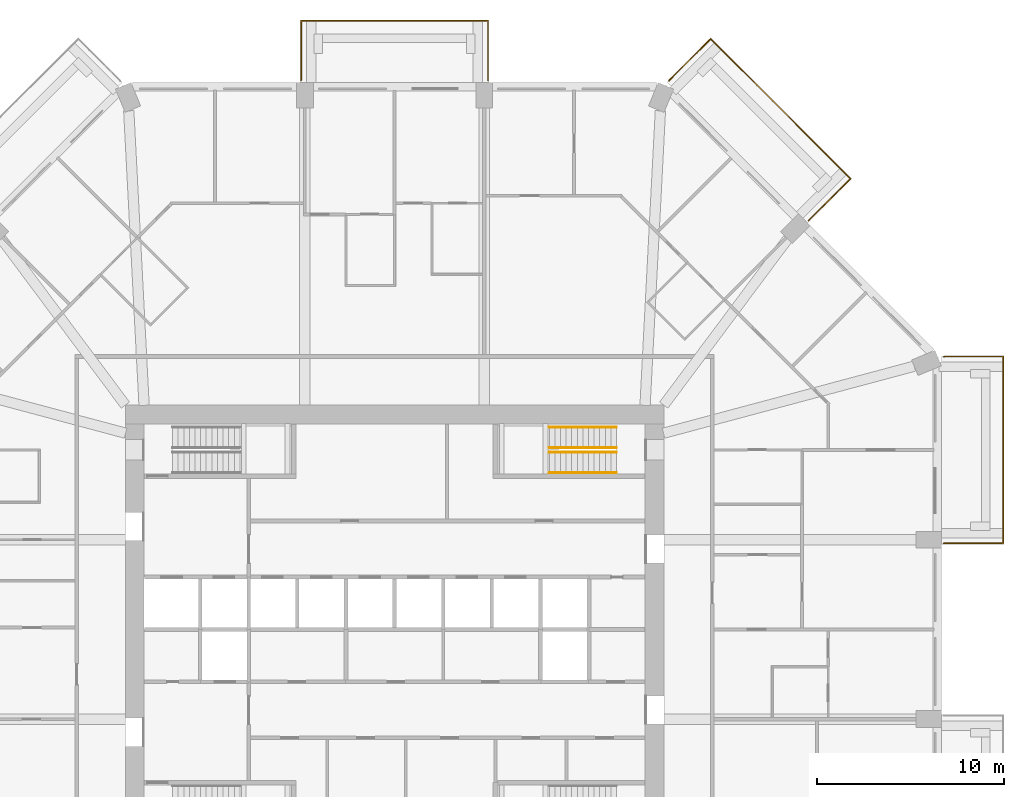
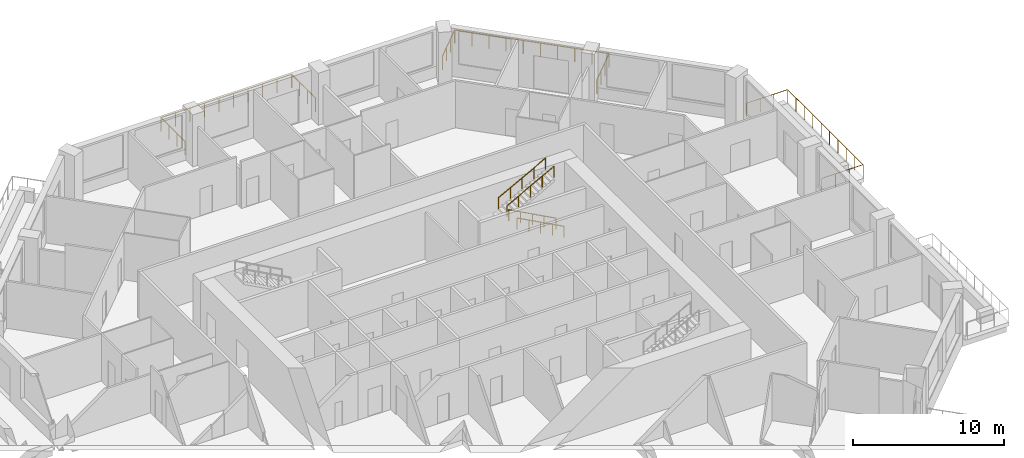
# One storey, part 13 of 13: 7 railings.
"""IFC4 building model written with IfcOpenShell, lengths in metres."""

from ifc_helpers import new_model, si_unit, direction, frame, origin, origin_2d, place, context, subcontext, project, spatial, circle, extrude, material, constituent, constituent_set, type_object, element, save


model = new_model("IFC4")

# Units and contexts
model_context = context("Model", 3, precision=1e-05, world=origin(), true_north=direction((0.0, 1.0)))
body_context = subcontext(model_context, "Body", "Model", "MODEL_VIEW")
ifc_project = project(units=[si_unit("LENGTHUNIT", "METRE"), si_unit("AREAUNIT", "SQUARE_METRE"), si_unit("VOLUMEUNIT", "CUBIC_METRE"), si_unit("PLANEANGLEUNIT", "RADIAN"), si_unit("MASSUNIT", "GRAM", prefix="KILO")], contexts=[model_context])

# Site, building, storey
site_placement = place(None, origin())
site = spatial("IfcSite", under=ifc_project, at=site_placement, CompositionType="ELEMENT")
building_placement = place(site_placement, origin())
building = spatial("IfcBuilding", under=site, at=building_placement, Name="Msitu Wima Residences", CompositionType="ELEMENT")
storey_placement = place(building_placement, frame((0.0, 0.0, 96.89990234375)))
storey = spatial("IfcBuildingStorey", under=building, at=storey_placement, Name="L22", CompositionType="ELEMENT", Elevation=96.89990234375)

# Railings
ifc_material_1 = material(Name="Steel S355", Category="steel")
ifc_constituent_1 = constituent(ifc_material_1, Name="Steel S355")
ifc_material_2 = material(Name="Weathering patina")
ifc_constituent_2 = constituent(ifc_material_2, Name="Weathering patina")
ifc_constituent_set_1 = constituent_set(constituents=[ifc_constituent_1, ifc_constituent_2], Name="Steel S355")
railing_type_1 = type_object("IfcRailingType", Name="Balcony guard GR1100", PredefinedType="GUARDRAIL", material=ifc_constituent_set_1)
railing_1_placement = place(storey_placement, frame((29.3798828125, 14.586181640625, 0.0)))
element("IfcRailing", 1, at=railing_1_placement, inside=storey, type_object=railing_type_1, Name="Balcony guard E2 L22", PredefinedType="GUARDRAIL", context=body_context, shape_type="SweptSolid", body=[
    extrude(circle(Radius=0.02392578125, at=origin_2d()), frame((0.0, 0.0, 1.076171875), z_axis=(0.92426142649, 0.38176015442, 0.0), x_axis=(-0.38176015442, 0.92426142649, 0.0)), (0.0, 0.0, 1.0), 0.036376953125),
    extrude(circle(Radius=0.02392578125, at=origin_2d()), frame((0.03369140625, 0.013916015625, 1.076171875), z_axis=(1.0, 0.0, 0.0), x_axis=(0.0, 1.0, 0.0)), (0.0, 0.0, 1.0), 3.136474609375),
    extrude(circle(Radius=0.02392578125, at=origin_2d()), frame((3.170166015625, 0.013916015625, 1.076171875), z_axis=(0.0, -1.0, 0.0), x_axis=(1.0, 0.0, 0.0)), (0.0, 0.0, 1.0), 10.0),
    extrude(circle(Radius=0.02392578125, at=origin_2d()), frame((3.170166015625, -9.986083984375, 1.076171875), z_axis=(-1.0, 0.0, 0.0), x_axis=(0.0, -1.0, 0.0)), (0.0, 0.0, 1.0), 3.170166015625),
    extrude(circle(Radius=0.02099609375, at=origin_2d()), origin(), (0.0, 0.0, 1.0), 1.052001953125),
    extrude(circle(Radius=0.02099609375, at=origin_2d()), frame((0.03369140625, 0.013916015625, 0.0)), (0.0, 0.0, 1.0), 1.052001953125),
    extrude(circle(Radius=0.02099609375, at=origin_2d()), frame((1.0791015625, 0.013916015625, 0.0)), (0.0, 0.0, 1.0), 1.052001953125),
    extrude(circle(Radius=0.02099609375, at=origin_2d()), frame((2.124755859375, 0.013916015625, 0.0)), (0.0, 0.0, 1.0), 1.052001953125),
    extrude(circle(Radius=0.02099609375, at=origin_2d()), frame((3.170166015625, 0.013916015625, 0.0)), (0.0, 0.0, 1.0), 1.052001953125),
    extrude(circle(Radius=0.02099609375, at=origin_2d()), frame((3.170166015625, -1.09716796875, 0.0)), (0.0, 0.0, 1.0), 1.052001953125),
    extrude(circle(Radius=0.02099609375, at=origin_2d()), frame((3.170166015625, -2.208251953125, 0.0)), (0.0, 0.0, 1.0), 1.052001953125),
    extrude(circle(Radius=0.02099609375, at=origin_2d()), frame((3.170166015625, -3.3193359375, 0.0)), (0.0, 0.0, 1.0), 1.052001953125),
    extrude(circle(Radius=0.02099609375, at=origin_2d()), frame((3.170166015625, -4.430419921875, 0.0)), (0.0, 0.0, 1.0), 1.052001953125),
    extrude(circle(Radius=0.02099609375, at=origin_2d()), frame((3.170166015625, -5.541748046875, 0.0)), (0.0, 0.0, 1.0), 1.052001953125),
    extrude(circle(Radius=0.02099609375, at=origin_2d()), frame((3.170166015625, -6.65283203125, 0.0)), (0.0, 0.0, 1.0), 1.052001953125),
    extrude(circle(Radius=0.02099609375, at=origin_2d()), frame((3.170166015625, -7.763916015625, 0.0)), (0.0, 0.0, 1.0), 1.052001953125),
    extrude(circle(Radius=0.02099609375, at=origin_2d()), frame((3.170166015625, -8.875, 0.0)), (0.0, 0.0, 1.0), 1.052001953125),
    extrude(circle(Radius=0.02099609375, at=origin_2d()), frame((3.170166015625, -9.986083984375, 0.0)), (0.0, 0.0, 1.0), 1.052001953125),
    extrude(circle(Radius=0.02099609375, at=origin_2d()), frame((2.113525390625, -9.986083984375, 0.0)), (0.0, 0.0, 1.0), 1.052001953125),
    extrude(circle(Radius=0.02099609375, at=origin_2d()), frame((1.056640625, -9.986083984375, 0.0)), (0.0, 0.0, 1.0), 1.052001953125),
    extrude(circle(Radius=0.02099609375, at=origin_2d()), frame((0.0, -9.986083984375, 0.0)), (0.0, 0.0, 1.0), 1.052001953125),
])
railing_2_placement = place(storey_placement, frame((14.678466796875, 29.341796875, 0.0)))
element("IfcRailing", 2, at=railing_2_placement, inside=storey, type_object=railing_type_1, Name="Balcony guard NE1 L22", PredefinedType="GUARDRAIL", context=body_context, shape_type="SweptSolid", body=[
    extrude(circle(Radius=0.02392578125, at=origin_2d()), frame((0.0, 0.0, 1.076171875), z_axis=(0.384136806859, 0.923276184907, 0.0), x_axis=(-0.923276184907, 0.384136806859, 0.0)), (0.0, 0.0, 1.0), 0.0361328125),
    extrude(circle(Radius=0.02392578125, at=origin_2d()), frame((0.013916015625, 0.033447265625, 1.076171875), z_axis=(0.707106781187, 0.707106781187, 0.0), x_axis=(-0.707106781187, 0.707106781187, 0.0)), (0.0, 0.0, 1.0), 3.136474609375),
    extrude(circle(Radius=0.02392578125, at=origin_2d()), frame((2.231689453125, 2.251220703125, 1.076171875), z_axis=(0.707118316465, -0.70709524572, 0.0), x_axis=(0.70709524572, 0.707118316465, 0.0)), (0.0, 0.0, 1.0), 10.582275390625),
    extrude(circle(Radius=0.02392578125, at=origin_2d()), frame((9.714599609375, -5.2314453125, 1.076171875), z_axis=(-0.707068272989, -0.707145287287, 0.0), x_axis=(0.707145287287, -0.707068272989, 0.0)), (0.0, 0.0, 1.0), 3.170166015625),
    extrude(circle(Radius=0.02099609375, at=origin_2d()), origin(), (0.0, 0.0, 1.0), 1.052001953125),
    extrude(circle(Radius=0.02099609375, at=origin_2d()), frame((0.013916015625, 0.033447265625, 0.0)), (0.0, 0.0, 1.0), 1.052001953125),
    extrude(circle(Radius=0.02099609375, at=origin_2d()), frame((0.753173828125, 0.772705078125, 0.0)), (0.0, 0.0, 1.0), 1.052001953125),
    extrude(circle(Radius=0.02099609375, at=origin_2d()), frame((1.492431640625, 1.511962890625, 0.0)), (0.0, 0.0, 1.0), 1.052001953125),
    extrude(circle(Radius=0.02099609375, at=origin_2d()), frame((2.231689453125, 2.251220703125, 0.0)), (0.0, 0.0, 1.0), 1.052001953125),
    extrude(circle(Radius=0.02099609375, at=origin_2d()), frame((3.063232421875, 1.419921875, 0.0)), (0.0, 0.0, 1.0), 1.052001953125),
    extrude(circle(Radius=0.02099609375, at=origin_2d()), frame((3.89453125, 0.58837890625, 0.0)), (0.0, 0.0, 1.0), 1.052001953125),
    extrude(circle(Radius=0.02099609375, at=origin_2d()), frame((4.72607421875, -0.242919921875, 0.0)), (0.0, 0.0, 1.0), 1.052001953125),
    extrude(circle(Radius=0.02099609375, at=origin_2d()), frame((5.557373046875, -1.074462890625, 0.0)), (0.0, 0.0, 1.0), 1.052001953125),
    extrude(circle(Radius=0.02099609375, at=origin_2d()), frame((6.388916015625, -1.90576171875, 0.0)), (0.0, 0.0, 1.0), 1.052001953125),
    extrude(circle(Radius=0.02099609375, at=origin_2d()), frame((7.22021484375, -2.7373046875, 0.0)), (0.0, 0.0, 1.0), 1.052001953125),
    extrude(circle(Radius=0.02099609375, at=origin_2d()), frame((8.0517578125, -3.568603515625, 0.0)), (0.0, 0.0, 1.0), 1.052001953125),
    extrude(circle(Radius=0.02099609375, at=origin_2d()), frame((8.883056640625, -4.400146484375, 0.0)), (0.0, 0.0, 1.0), 1.052001953125),
    extrude(circle(Radius=0.02099609375, at=origin_2d()), frame((9.714599609375, -5.2314453125, 0.0)), (0.0, 0.0, 1.0), 1.052001953125),
    extrude(circle(Radius=0.02099609375, at=origin_2d()), frame((8.967529296875, -5.978759765625, 0.0)), (0.0, 0.0, 1.0), 1.052001953125),
    extrude(circle(Radius=0.02099609375, at=origin_2d()), frame((8.22021484375, -6.725830078125, 0.0)), (0.0, 0.0, 1.0), 1.052001953125),
    extrude(circle(Radius=0.02099609375, at=origin_2d()), frame((7.47314453125, -7.47314453125, 0.0)), (0.0, 0.0, 1.0), 1.052001953125),
])
railing_3_placement = place(storey_placement, frame((-5.0, 29.3798828125, 0.0)))
element("IfcRailing", 3, at=railing_3_placement, inside=storey, type_object=railing_type_1, Name="Balcony guard N1 L22", PredefinedType="GUARDRAIL", context=body_context, shape_type="SweptSolid", body=[
    extrude(circle(Radius=0.02392578125, at=origin_2d()), frame((0.0, 0.0, 1.076171875), z_axis=(0.0, 1.0, 0.0), x_axis=(-1.0, 0.0, 0.0)), (0.0, 0.0, 1.0), 3.170166015625),
    extrude(circle(Radius=0.02392578125, at=origin_2d()), frame((0.0, 3.170166015625, 1.076171875), z_axis=(1.0, 0.0, 0.0), x_axis=(0.0, 1.0, 0.0)), (0.0, 0.0, 1.0), 10.0),
    extrude(circle(Radius=0.02392578125, at=origin_2d()), frame((10.0, 3.170166015625, 1.076171875), z_axis=(0.0, -1.0, 0.0), x_axis=(1.0, 0.0, 0.0)), (0.0, 0.0, 1.0), 3.170166015625),
    extrude(circle(Radius=0.02099609375, at=origin_2d()), origin(), (0.0, 0.0, 1.0), 1.052001953125),
    extrude(circle(Radius=0.02099609375, at=origin_2d()), frame((0.0, 1.056640625, 0.0)), (0.0, 0.0, 1.0), 1.052001953125),
    extrude(circle(Radius=0.02099609375, at=origin_2d()), frame((0.0, 2.113525390625, 0.0)), (0.0, 0.0, 1.0), 1.052001953125),
    extrude(circle(Radius=0.02099609375, at=origin_2d()), frame((0.0, 3.170166015625, 0.0)), (0.0, 0.0, 1.0), 1.052001953125),
    extrude(circle(Radius=0.02099609375, at=origin_2d()), frame((1.111083984375, 3.170166015625, 0.0)), (0.0, 0.0, 1.0), 1.052001953125),
    extrude(circle(Radius=0.02099609375, at=origin_2d()), frame((2.22216796875, 3.170166015625, 0.0)), (0.0, 0.0, 1.0), 1.052001953125),
    extrude(circle(Radius=0.02099609375, at=origin_2d()), frame((3.333251953125, 3.170166015625, 0.0)), (0.0, 0.0, 1.0), 1.052001953125),
    extrude(circle(Radius=0.02099609375, at=origin_2d()), frame((4.4443359375, 3.170166015625, 0.0)), (0.0, 0.0, 1.0), 1.052001953125),
    extrude(circle(Radius=0.02099609375, at=origin_2d()), frame((5.5556640625, 3.170166015625, 0.0)), (0.0, 0.0, 1.0), 1.052001953125),
    extrude(circle(Radius=0.02099609375, at=origin_2d()), frame((6.666748046875, 3.170166015625, 0.0)), (0.0, 0.0, 1.0), 1.052001953125),
    extrude(circle(Radius=0.02099609375, at=origin_2d()), frame((7.77783203125, 3.170166015625, 0.0)), (0.0, 0.0, 1.0), 1.052001953125),
    extrude(circle(Radius=0.02099609375, at=origin_2d()), frame((8.888916015625, 3.170166015625, 0.0)), (0.0, 0.0, 1.0), 1.052001953125),
    extrude(circle(Radius=0.02099609375, at=origin_2d()), frame((10.0, 3.170166015625, 0.0)), (0.0, 0.0, 1.0), 1.052001953125),
    extrude(circle(Radius=0.02099609375, at=origin_2d()), frame((10.0, 2.113525390625, 0.0)), (0.0, 0.0, 1.0), 1.052001953125),
    extrude(circle(Radius=0.02099609375, at=origin_2d()), frame((10.0, 1.056640625, 0.0)), (0.0, 0.0, 1.0), 1.052001953125),
    extrude(circle(Radius=0.02099609375, at=origin_2d()), frame((10.0, 0.0, 0.0)), (0.0, 0.0, 1.0), 1.052001953125),
])
ifc_constituent_3 = constituent(ifc_material_1, Name="Steel S355")
ifc_material_3 = material(Name="Black powder coating")
ifc_constituent_4 = constituent(ifc_material_3, Name="Black powder coating")
ifc_constituent_set_2 = constituent_set(constituents=[ifc_constituent_3, ifc_constituent_4], Name="Steel S355")
railing_type_2 = type_object("IfcRailingType", Name="Stair handrail HR1", PredefinedType="HANDRAIL", material=ifc_constituent_set_2)
for number, where, name in (
    (4, (11.875, 8.375, 0.16162109375), "Stair 3 handrail"),
    (5, (11.875, 9.47509765625, 0.16162109375), "Stair 3 handrail"),
):
    element("IfcRailing", number, at=place(storey_placement, frame(where)), inside=storey, type_object=railing_type_2, Name=name, PredefinedType="HANDRAIL", context=body_context, shape_type="SweptSolid", body=[
        extrude(circle(Radius=0.02392578125, at=origin_2d()), frame((0.0, 0.0, 0.8759765625), z_axis=(-0.880474934443, 0.0, 0.474092701714), x_axis=(0.0, -1.0, 0.0)), (0.0, 0.0, 1.0), 4.0888671875),
        extrude(circle(Radius=0.02099609375, at=origin_2d()), origin(), (0.0, 0.0, 1.0), 0.851806640625),
        extrude(circle(Radius=0.02099609375, at=origin_2d()), frame((-0.89990234375, 0.0, 0.484619140625)), (0.0, 0.0, 1.0), 0.851806640625),
        extrude(circle(Radius=0.02099609375, at=origin_2d()), frame((-1.800048828125, 0.0, 0.96923828125)), (0.0, 0.0, 1.0), 0.851806640625),
        extrude(circle(Radius=0.02099609375, at=origin_2d()), frame((-2.7001953125, 0.0, 1.453857421875)), (0.0, 0.0, 1.0), 0.851806640625),
        extrude(circle(Radius=0.02099609375, at=origin_2d()), frame((-3.60009765625, 0.0, 1.9384765625)), (0.0, 0.0, 1.0), 0.851806640625),
    ])
for number, where, name in (
    (6, (8.27490234375, 9.72509765625, 2.26171875), "Stair 3 handrail"),
    (7, (8.27490234375, 10.824951171875, 2.26171875), "Stair 3 handrail"),
):
    element("IfcRailing", number, at=place(storey_placement, frame(where)), inside=storey, type_object=railing_type_2, Name=name, PredefinedType="HANDRAIL", context=body_context, shape_type="SweptSolid", body=[
        extrude(circle(Radius=0.02392578125, at=origin_2d()), frame((0.0, 0.0, 0.8759765625), z_axis=(0.880474934443, 0.0, 0.474092701714), x_axis=(0.0, 1.0, 0.0)), (0.0, 0.0, 1.0), 4.0888671875),
        extrude(circle(Radius=0.02099609375, at=origin_2d()), origin(), (0.0, 0.0, 1.0), 0.851806640625),
        extrude(circle(Radius=0.02099609375, at=origin_2d()), frame((0.89990234375, 0.0, 0.484619140625)), (0.0, 0.0, 1.0), 0.851806640625),
        extrude(circle(Radius=0.02099609375, at=origin_2d()), frame((1.800048828125, 0.0, 0.96923828125)), (0.0, 0.0, 1.0), 0.851806640625),
        extrude(circle(Radius=0.02099609375, at=origin_2d()), frame((2.7001953125, 0.0, 1.453857421875)), (0.0, 0.0, 1.0), 0.851806640625),
        extrude(circle(Radius=0.02099609375, at=origin_2d()), frame((3.60009765625, 0.0, 1.9384765625)), (0.0, 0.0, 1.0), 0.851806640625),
    ])

save(model, "model.ifc")
